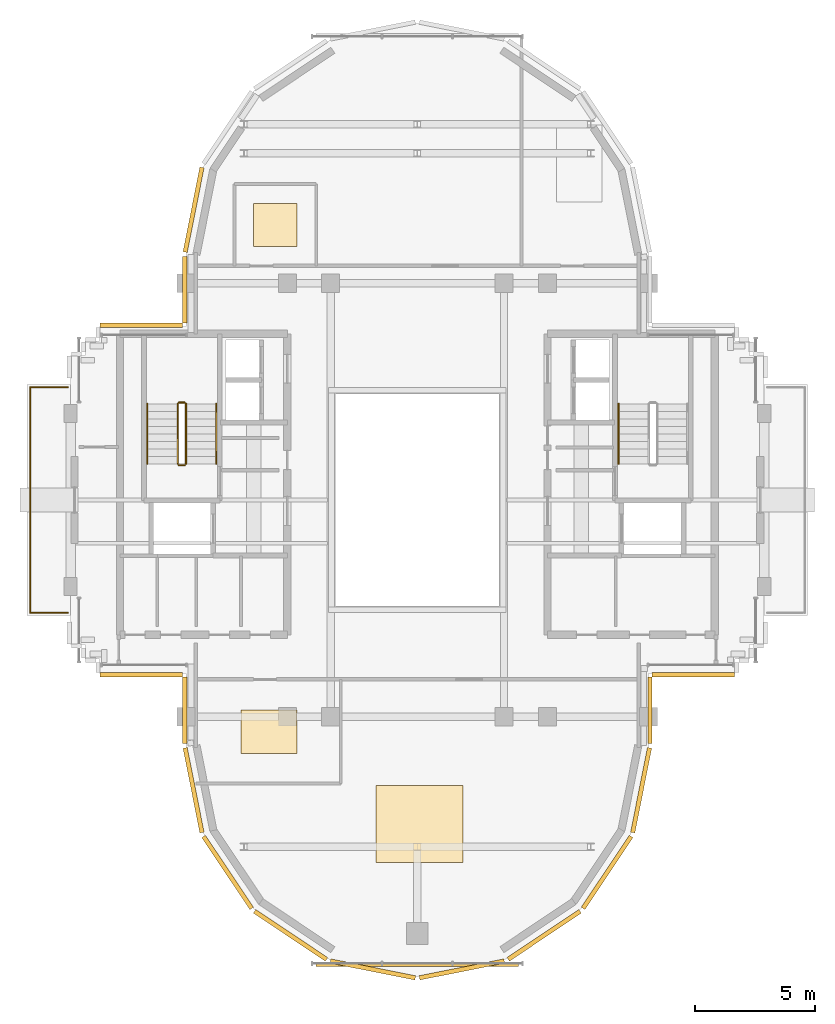
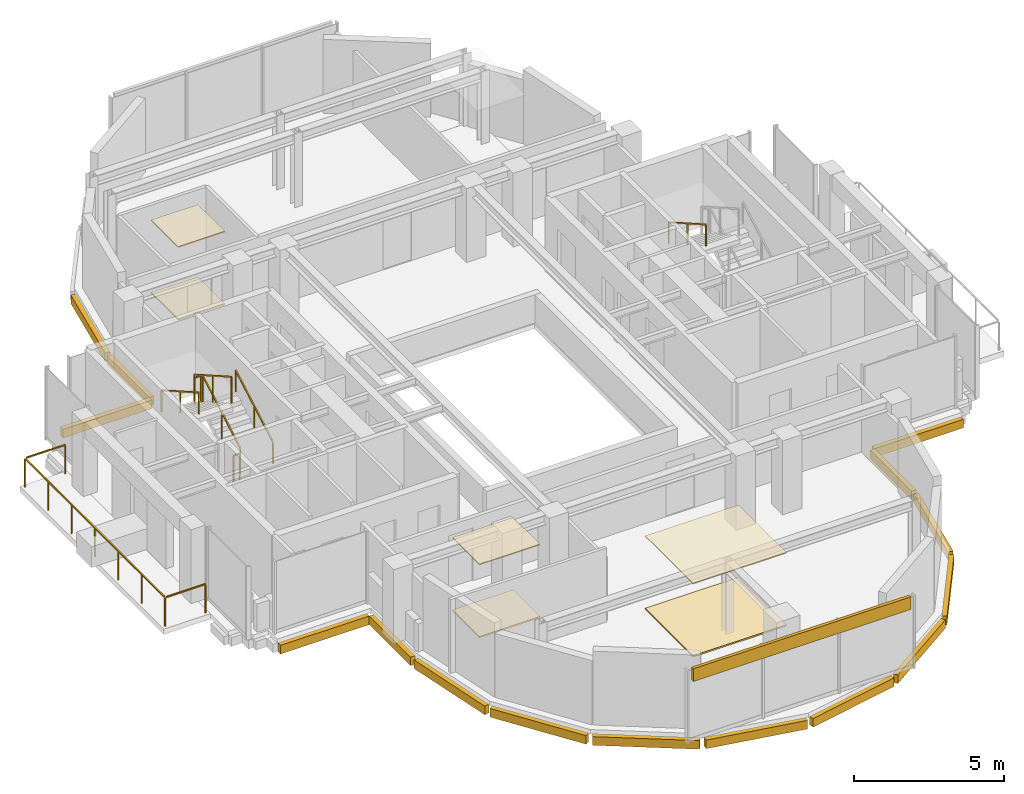
# One storey, part 10 of 12: 22 coverings, 8 railings.
"""IFC4 building model written with IfcOpenShell, lengths in metres."""

from ifc_helpers import new_model, si_unit, direction, frame, origin, origin_2d, place, context, subcontext, project, spatial, rectangle, extrude, source, transform, mapped, material, layer, layer_set, type_object, element, save


model = new_model("IFC4")

# Units and contexts
model_context = context("Model", 3, precision=1e-05, world=origin(), true_north=direction((0.0, 1.0)))
body_context = subcontext(model_context, "Body", "Model", "MODEL_VIEW")
ifc_project = project(units=[si_unit("LENGTHUNIT", "METRE"), si_unit("AREAUNIT", "SQUARE_METRE"), si_unit("VOLUMEUNIT", "CUBIC_METRE"), si_unit("PLANEANGLEUNIT", "RADIAN"), si_unit("MASSUNIT", "GRAM", prefix="KILO")], contexts=[model_context])

# Site, building, storey
site_placement = place(None, origin())
site = spatial("IfcSite", under=ifc_project, at=site_placement, CompositionType="ELEMENT")
building_placement = place(site_placement, origin())
building = spatial("IfcBuilding", under=site, at=building_placement, Name="Keilestroom Media Tower", CompositionType="ELEMENT")
storey_placement = place(building_placement, frame((0.0, 0.0, 258.800048828125)))
storey = spatial("IfcBuildingStorey", under=building, at=storey_placement, Name="L72", CompositionType="ELEMENT", Elevation=258.800048828125)

# Railings
ifc_material_1 = material(Name="Brushed Stainless Steel 1.4301", Category="steel")
railing_type_1 = type_object("IfcRailingType", Name="Stair-Pitch-Handrail-920", PredefinedType="HANDRAIL", material=ifc_material_1)
railing_1_placement = place(storey_placement, frame((-8.35009765625, 1.5, 0.177734375)))
element("IfcRailing", 1, at=railing_1_placement, inside=storey, type_object=railing_type_1, Name="L72 ST-1 stair handrail 1", PredefinedType="HANDRAIL", context=body_context, shape_type="SweptSolid", body=[
    extrude(rectangle(XDim=0.048095703125, YDim=0.048095703125, at=origin_2d()), frame((0.0, 0.0, 0.8759765625), z_axis=(0.0, 0.868875238982, 0.495031129408), x_axis=(-1.0, 0.0, 0.0)), (0.0, 0.0, 1.0), 2.872802734375),
    extrude(rectangle(XDim=0.0419921875, YDim=0.0419921875, at=origin_2d()), origin(), (0.0, 0.0, 1.0), 0.84375),
    extrude(rectangle(XDim=0.0419921875, YDim=0.0419921875, at=origin_2d()), frame((0.0, 1.248046875, 0.7109375)), (0.0, 0.0, 1.0), 0.84375),
    extrude(rectangle(XDim=0.0419921875, YDim=0.0419921875, at=origin_2d()), frame((0.0, 2.49609375, 1.422119140625)), (0.0, 0.0, 1.0), 0.84375),
])
for number, where, name in (
    (2, (-11.2099609375, 3.99609375, 1.77783203125), "L72 ST-1 stair handrail 2"),
    (3, (8.35009765625, 3.99609375, 1.77783203125), "L72 ST-2 stair handrail 2"),
):
    element("IfcRailing", number, at=place(storey_placement, frame(where)), inside=storey, type_object=railing_type_1, Name=name, PredefinedType="HANDRAIL", context=body_context, shape_type="SweptSolid", body=[
        extrude(rectangle(XDim=0.048095703125, YDim=0.048095703125, at=origin_2d()), frame((0.0, 0.0, 0.8759765625), z_axis=(0.0, -0.868875238982, 0.495031129408), x_axis=(1.0, 0.0, 0.0)), (0.0, 0.0, 1.0), 2.872802734375),
        extrude(rectangle(XDim=0.0419921875, YDim=0.0419921875, at=origin_2d()), origin(), (0.0, 0.0, 1.0), 0.84375),
        extrude(rectangle(XDim=0.0419921875, YDim=0.0419921875, at=origin_2d()), frame((0.0, -1.248046875, 0.7109375)), (0.0, 0.0, 1.0), 0.84375),
        extrude(rectangle(XDim=0.0419921875, YDim=0.0419921875, at=origin_2d()), frame((0.0, -2.49609375, 1.422119140625)), (0.0, 0.0, 1.0), 0.84375),
    ])
ifc_material_2 = material(Name="Painted Steel Balustrade", Category="steel")
railing_type_2 = type_object("IfcRailingType", Name="Stair-Well-And-Landing-Guard-1100", PredefinedType="GUARDRAIL", material=ifc_material_2)
railing_2_placement = place(storey_placement, frame((-9.610107421875, 1.5, 0.177734375)))
element("IfcRailing", 4, at=railing_2_placement, inside=storey, type_object=railing_type_2, Name="L72 ST-1 stair guard 1", PredefinedType="GUARDRAIL", context=body_context, shape_type="SweptSolid", body=[
    extrude(rectangle(XDim=0.048095703125, YDim=0.048095703125, at=origin_2d()), frame((0.0, 0.0, 1.076171875), z_axis=(0.0, 0.868875238982, 0.495031129408), x_axis=(-1.0, 0.0, 0.0)), (0.0, 0.0, 1.0), 2.872802734375),
    extrude(rectangle(XDim=0.0419921875, YDim=0.0419921875, at=origin_2d()), origin(), (0.0, 0.0, 1.0), 1.0439453125),
    extrude(rectangle(XDim=0.0419921875, YDim=0.0419921875, at=origin_2d()), frame((0.0, 1.248046875, 0.7109375)), (0.0, 0.0, 1.0), 1.0439453125),
    extrude(rectangle(XDim=0.0419921875, YDim=0.0419921875, at=origin_2d()), frame((0.0, 2.49609375, 1.422119140625)), (0.0, 0.0, 1.0), 1.0439453125),
])
railing_3_placement = place(storey_placement, frame((-9.659912109375, 4.0458984375, 1.599853515625)))
element("IfcRailing", 5, at=railing_3_placement, inside=storey, type_object=railing_type_2, Name="L72 ST-1 stair guard 2", PredefinedType="GUARDRAIL", context=body_context, shape_type="SweptSolid", body=[
    extrude(rectangle(XDim=0.048095703125, YDim=0.048095703125, at=origin_2d()), frame((0.0, 0.0, 1.076171875), z_axis=(-1.0, 0.0, 0.0), x_axis=(0.0, -1.0, 0.0)), (0.0, 0.0, 1.0), 0.239990234375),
    extrude(rectangle(XDim=0.0419921875, YDim=0.0419921875, at=origin_2d()), origin(), (0.0, 0.0, 1.0), 1.0439453125),
    extrude(rectangle(XDim=0.0419921875, YDim=0.0419921875, at=origin_2d()), frame((-0.239990234375, 0.0, 0.0)), (0.0, 0.0, 1.0), 1.0439453125),
])
railing_4_placement = place(storey_placement, frame((-9.949951171875, 3.99609375, 1.77783203125)))
element("IfcRailing", 6, at=railing_4_placement, inside=storey, type_object=railing_type_2, Name="L72 ST-1 stair guard 3", PredefinedType="GUARDRAIL", context=body_context, shape_type="SweptSolid", body=[
    extrude(rectangle(XDim=0.048095703125, YDim=0.048095703125, at=origin_2d()), frame((0.0, 0.0, 1.076171875), z_axis=(0.0, -0.868875238982, 0.495031129408), x_axis=(1.0, 0.0, 0.0)), (0.0, 0.0, 1.0), 2.872802734375),
    extrude(rectangle(XDim=0.0419921875, YDim=0.0419921875, at=origin_2d()), origin(), (0.0, 0.0, 1.0), 1.0439453125),
    extrude(rectangle(XDim=0.0419921875, YDim=0.0419921875, at=origin_2d()), frame((0.0, -1.248046875, 0.7109375)), (0.0, 0.0, 1.0), 1.0439453125),
    extrude(rectangle(XDim=0.0419921875, YDim=0.0419921875, at=origin_2d()), frame((0.0, -2.49609375, 1.422119140625)), (0.0, 0.0, 1.0), 1.0439453125),
])
railing_5_placement = place(storey_placement, frame((-9.659912109375, 1.449951171875, 0.0)))
element("IfcRailing", 7, at=railing_5_placement, inside=storey, type_object=railing_type_2, Name="L72 ST-1 stair guard 4", PredefinedType="GUARDRAIL", context=body_context, shape_type="SweptSolid", body=[
    extrude(rectangle(XDim=0.048095703125, YDim=0.048095703125, at=origin_2d()), frame((0.0, 0.0, 1.076171875), z_axis=(-1.0, 0.0, 0.0), x_axis=(0.0, -1.0, 0.0)), (0.0, 0.0, 1.0), 0.239990234375),
    extrude(rectangle(XDim=0.0419921875, YDim=0.0419921875, at=origin_2d()), origin(), (0.0, 0.0, 1.0), 1.0439453125),
    extrude(rectangle(XDim=0.0419921875, YDim=0.0419921875, at=origin_2d()), frame((-0.239990234375, 0.0, 0.0)), (0.0, 0.0, 1.0), 1.0439453125),
])
ifc_material_3 = material(Name="Laminated Safety Glass & Bronze Aluminium", Category="aluminium")
railing_type_3 = type_object("IfcRailingType", Name="Terrace-And-Atrium-Guard-Balustrade-GD-SKY", PredefinedType="BALUSTRADE", material=ifc_material_3)
railing_6_placement = place(storey_placement, frame((-14.52001953125, -4.679931640625, 0.0)))
element("IfcRailing", 8, at=railing_6_placement, inside=storey, type_object=railing_type_3, Name="L72 Terrace Perimeter Guard CUP72-W", PredefinedType="BALUSTRADE", context=body_context, shape_type="SweptSolid", body=[
    extrude(rectangle(XDim=0.048095703125, YDim=0.048095703125, at=origin_2d()), frame((0.0, 0.0, 1.17578125), z_axis=(-1.0, 0.0, 0.0), x_axis=(0.0, -1.0, 0.0)), (0.0, 0.0, 1.0), 1.511962890625),
    extrude(rectangle(XDim=0.048095703125, YDim=0.048095703125, at=origin_2d()), frame((-1.56005859375, 0.048095703125, 1.17578125), z_axis=(0.0, 1.0, 0.0), x_axis=(-1.0, 0.0, 0.0)), (0.0, 0.0, 1.0), 9.263671875),
    extrude(rectangle(XDim=0.048095703125, YDim=0.048095703125, at=origin_2d()), frame((-1.511962890625, 9.35986328125, 1.17578125), z_axis=(1.0, 0.0, 0.0), x_axis=(0.0, 1.0, 0.0)), (0.0, 0.0, 1.0), 1.511962890625),
    extrude(rectangle(XDim=0.0419921875, YDim=0.0419921875, at=origin_2d()), origin(), (0.0, 0.0, 1.0), 1.143798828125),
    extrude(rectangle(XDim=0.0419921875, YDim=0.0419921875, at=origin_2d()), frame((-1.56005859375, 0.0, 0.0)), (0.0, 0.0, 1.0), 1.143798828125),
    extrude(rectangle(XDim=0.0419921875, YDim=0.0419921875, at=origin_2d()), frame((-1.56005859375, 1.56005859375, 0.0)), (0.0, 0.0, 1.0), 1.143798828125),
    extrude(rectangle(XDim=0.0419921875, YDim=0.0419921875, at=origin_2d()), frame((-1.56005859375, 3.119873046875, 0.0)), (0.0, 0.0, 1.0), 1.143798828125),
    extrude(rectangle(XDim=0.0419921875, YDim=0.0419921875, at=origin_2d()), frame((-1.56005859375, 4.679931640625, 0.0)), (0.0, 0.0, 1.0), 1.143798828125),
    extrude(rectangle(XDim=0.0419921875, YDim=0.0419921875, at=origin_2d()), frame((-1.56005859375, 6.239990234375, 0.0)), (0.0, 0.0, 1.0), 1.143798828125),
    extrude(rectangle(XDim=0.0419921875, YDim=0.0419921875, at=origin_2d()), frame((-1.56005859375, 7.7998046875, 0.0)), (0.0, 0.0, 1.0), 1.143798828125),
    extrude(rectangle(XDim=0.0419921875, YDim=0.0419921875, at=origin_2d()), frame((-1.56005859375, 9.35986328125, 0.0)), (0.0, 0.0, 1.0), 1.143798828125),
    extrude(rectangle(XDim=0.0419921875, YDim=0.0419921875, at=origin_2d()), frame((0.0, 9.35986328125, 0.0)), (0.0, 0.0, 1.0), 1.143798828125),
])

# Coverings
ifc_material_4 = material(Name="Precast concrete C40/50", Category="concrete")
ifc_layer_1 = layer(ifc_material_4, 0.1201171875)
ifc_layer_set_1 = layer_set([ifc_layer_1], Name="Precast concrete C40/50")
covering_type_1 = type_object("IfcCoveringType", Name="Exterior-Precast-Spandrel-Cladding-Panel-120", PredefinedType="CLADDING", material=ifc_layer_set_1)
shared_shape_1 = source(origin(), body_context, "Body", "SweptSolid", [
    extrude(rectangle(XDim=8.39990234375, YDim=0.1201171875, at=origin_2d()), origin(), (0.0, 0.0, 1.0), 0.52001953125),
])
covering_1_placement = place(storey_placement, frame((0.0, -19.320068359375, 2.5), z_axis=(0.0, 0.0, 1.0), x_axis=(1.0, 0.0, 0.0)))
element("IfcCovering", 9, at=covering_1_placement, inside=storey, type_object=covering_type_1, Name="L72 Precast Spandrel Cladding S", PredefinedType="CLADDING", context=body_context, shape_type="MappedRepresentation", body=[
    mapped(shared_shape_1, transform((0.0, 0.0, 0.0), x_axis=(1.0, 0.0, 0.0), y_axis=(0.0, 1.0, 0.0), z_axis=(0.0, 0.0, 1.0), scale=1.0)),
])
shared_shape_2 = source(origin(), body_context, "Body", "SweptSolid", [
    extrude(rectangle(XDim=2.765869140625, YDim=0.179931640625, at=origin_2d()), origin(), (0.0, 0.0, 1.0), 0.35009765625),
])
for number, where, z_axis, x_axis, name in (
    (10, (9.659912109375, -8.73291015625, -0.530029296875), (0.0, 0.0, 1.0), (0.0, -1.0, 0.0), "L72 Precast Slab-Edge Fascia Cornice 06"),
    (11, (-9.659912109375, -8.73291015625, -0.530029296875), (0.0, 0.0, 1.0), (0.0, 1.0, 0.0), "L72 Precast Slab-Edge Fascia Cornice 15"),
    (12, (-9.659912109375, 8.73291015625, -0.530029296875), (0.0, 0.0, 1.0), (0.0, 1.0, 0.0), "L72 Precast Slab-Edge Fascia Cornice 28"),
):
    element("IfcCovering", number, at=place(storey_placement, frame(where, z_axis=z_axis, x_axis=x_axis)), inside=storey, type_object=covering_type_1, Name=name, PredefinedType="CLADDING", context=body_context, shape_type="MappedRepresentation", body=[
        mapped(shared_shape_2, transform((0.0, 0.0, 0.0), x_axis=(1.0, 0.0, 0.0), y_axis=(0.0, 1.0, 0.0), z_axis=(0.0, 0.0, 1.0), scale=1.0)),
    ])
shared_shape_3 = source(origin(), body_context, "Body", "SweptSolid", [
    extrude(rectangle(XDim=3.58349609375, YDim=0.179931640625, at=origin_2d()), origin(), (0.0, 0.0, 1.0), 0.35009765625),
])
for number, where, z_axis, x_axis, name in (
    (13, (9.29296875, -12.051513671875, -0.530029296875), (0.0, 0.0, 1.0), (-0.195098880975, -0.980783577882, 0.0), "L72 Precast Slab-Edge Fascia Cornice 07"),
    (14, (-9.29296875, -12.051513671875, -0.530029296875), (0.0, 0.0, 1.0), (-0.195098880975, 0.980783577882, 0.0), "L72 Precast Slab-Edge Fascia Cornice 14"),
    (15, (-9.29296875, 12.051513671875, -0.530029296875), (0.0, 0.0, 1.0), (0.195098880975, 0.980783577882, 0.0), "L72 Precast Slab-Edge Fascia Cornice 29"),
):
    element("IfcCovering", number, at=place(storey_placement, frame(where, z_axis=z_axis, x_axis=x_axis)), inside=storey, type_object=covering_type_1, Name=name, PredefinedType="CLADDING", context=body_context, shape_type="MappedRepresentation", body=[
        mapped(shared_shape_3, transform((0.0, 0.0, 0.0), x_axis=(1.0, 0.0, 0.0), y_axis=(0.0, 1.0, 0.0), z_axis=(0.0, 0.0, 1.0), scale=1.0)),
    ])
shared_shape_4 = source(origin(), body_context, "Body", "SweptSolid", [
    extrude(rectangle(XDim=3.589599609375, YDim=0.179931640625, at=origin_2d()), origin(), (0.0, 0.0, 1.0), 0.35009765625),
])
for number, where, z_axis, x_axis, name in (
    (16, (7.878662109375, -15.46435546875, -0.530029296875), (0.0, 0.0, 1.0), (-0.555574586577, -0.831466703332, 0.0), "L72 Precast Slab-Edge Fascia Cornice 08"),
    (17, (5.264404296875, -18.07861328125, -0.530029296875), (0.0, 0.0, 1.0), (-0.831466703332, -0.555574586577, 0.0), "L72 Precast Slab-Edge Fascia Cornice 09"),
    (18, (1.8486328125, -19.493408203125, -0.530029296875), (0.0, 0.0, 1.0), (-0.980783577882, -0.195098880975, 0.0), "L72 Precast Slab-Edge Fascia Cornice 10"),
    (19, (-1.8486328125, -19.493408203125, -0.530029296875), (0.0, 0.0, 1.0), (-0.980783577882, 0.195098880975, 0.0), "L72 Precast Slab-Edge Fascia Cornice 11"),
    (20, (-5.264404296875, -18.07861328125, -0.530029296875), (0.0, 0.0, 1.0), (-0.831466703332, 0.555574586577, 0.0), "L72 Precast Slab-Edge Fascia Cornice 12"),
    (21, (-7.878662109375, -15.46435546875, -0.530029296875), (0.0, 0.0, 1.0), (-0.555574586577, 0.831466703332, 0.0), "L72 Precast Slab-Edge Fascia Cornice 13"),
):
    element("IfcCovering", number, at=place(storey_placement, frame(where, z_axis=z_axis, x_axis=x_axis)), inside=storey, type_object=covering_type_1, Name=name, PredefinedType="CLADDING", context=body_context, shape_type="MappedRepresentation", body=[
        mapped(shared_shape_4, transform((0.0, 0.0, 0.0), x_axis=(1.0, 0.0, 0.0), y_axis=(0.0, 1.0, 0.0), z_axis=(0.0, 0.0, 1.0), scale=1.0)),
    ])
shared_shape_5 = source(origin(), body_context, "Body", "SweptSolid", [
    extrude(rectangle(XDim=3.419921875, YDim=0.179931640625, at=origin_2d()), origin(), (0.0, 0.0, 1.0), 0.35009765625),
])
for number, where, z_axis, x_axis, name in (
    (22, (11.4599609375, -7.260009765625, -0.530029296875), (0.0, 0.0, 1.0), (-1.0, 0.0, 0.0), "L72 Precast Slab-Edge Fascia Cornice 05"),
    (23, (-11.4599609375, -7.260009765625, -0.530029296875), (0.0, 0.0, 1.0), (-1.0, 0.0, 0.0), "L72 Precast Slab-Edge Fascia Cornice 16"),
    (24, (-11.4599609375, 7.260009765625, -0.530029296875), (0.0, 0.0, 1.0), (1.0, 0.0, 0.0), "L72 Precast Slab-Edge Fascia Cornice 27"),
):
    element("IfcCovering", number, at=place(storey_placement, frame(where, z_axis=z_axis, x_axis=x_axis)), inside=storey, type_object=covering_type_1, Name=name, PredefinedType="CLADDING", context=body_context, shape_type="MappedRepresentation", body=[
        mapped(shared_shape_5, transform((0.0, 0.0, 0.0), x_axis=(1.0, 0.0, 0.0), y_axis=(0.0, 1.0, 0.0), z_axis=(0.0, 0.0, 1.0), scale=1.0)),
    ])
ifc_material_5 = material(Name="Mineral-Fibre Acoustic Ceiling Tile", Category="gypsum")
ifc_layer_2 = layer(ifc_material_5, 0.0400390625)
ifc_layer_set_2 = layer_set([ifc_layer_2], Name="Mineral-Fibre Acoustic Ceiling Tile")
covering_type_2 = type_object("IfcCoveringType", Name="Suspended-Acoustic-Ceiling-40", PredefinedType="CEILING", material=ifc_layer_set_2)
shared_shape_6 = source(origin(), body_context, "Body", "SweptSolid", [
    extrude(rectangle(XDim=1.800048828125, YDim=1.800048828125, at=origin_2d()), origin(), (0.0, 0.0, 1.0), 0.0400390625),
])
covering_2_placement = place(storey_placement, frame((-5.89990234375, 11.419921875, 2.969970703125), z_axis=(0.0, 0.0, 1.0), x_axis=(1.0, 0.0, 0.0)))
element("IfcCovering", 25, at=covering_2_placement, inside=storey, type_object=covering_type_2, Name="L72 Suspended Acoustic Ceiling 1", PredefinedType="CEILING", context=body_context, shape_type="MappedRepresentation", body=[
    mapped(shared_shape_6, transform((0.0, 0.0, 0.0), x_axis=(1.0, 0.0, 0.0), y_axis=(0.0, 1.0, 0.0), z_axis=(0.0, 0.0, 1.0), scale=1.0)),
])
ifc_material_6 = material(Name="Calcium-Sulphate Raised Access Floor", Category="concrete")
ifc_layer_3 = layer(ifc_material_6, 0.06005859375)
ifc_layer_set_3 = layer_set([ifc_layer_3], Name="Calcium-Sulphate Raised Access Floor")
covering_type_3 = type_object("IfcCoveringType", Name="Raised-Access-And-Acoustic-Flooring-60", PredefinedType="FLOORING", material=ifc_layer_set_3)
shared_shape_7 = source(origin(), body_context, "Body", "SweptSolid", [
    extrude(rectangle(XDim=1.800048828125, YDim=1.800048828125, at=origin_2d()), origin(), (0.0, 0.0, 1.0), 0.06005859375),
])
covering_3_placement = place(storey_placement, frame((-5.89990234375, 11.419921875, 0.0), z_axis=(0.0, 0.0, 1.0), x_axis=(1.0, 0.0, 0.0)))
element("IfcCovering", 26, at=covering_3_placement, inside=storey, type_object=covering_type_3, Name="L72 Raised Access Flooring 1", PredefinedType="FLOORING", context=body_context, shape_type="MappedRepresentation", body=[
    mapped(shared_shape_7, transform((0.0, 0.0, 0.0), x_axis=(1.0, 0.0, 0.0), y_axis=(0.0, 1.0, 0.0), z_axis=(0.0, 0.0, 1.0), scale=1.0)),
])
shared_shape_8 = source(origin(), body_context, "Body", "SweptSolid", [
    extrude(rectangle(XDim=2.343994140625, YDim=1.800048828125, at=origin_2d()), origin(), (0.0, 0.0, 1.0), 0.0400390625),
])
covering_4_placement = place(storey_placement, frame((-6.159912109375, -9.6201171875, 2.969970703125), z_axis=(0.0, 0.0, 1.0), x_axis=(1.0, 0.0, 0.0)))
element("IfcCovering", 27, at=covering_4_placement, inside=storey, type_object=covering_type_2, Name="L72 Suspended Acoustic Ceiling 4", PredefinedType="CEILING", context=body_context, shape_type="MappedRepresentation", body=[
    mapped(shared_shape_8, transform((0.0, 0.0, 0.0), x_axis=(1.0, 0.0, 0.0), y_axis=(0.0, 1.0, 0.0), z_axis=(0.0, 0.0, 1.0), scale=1.0)),
])
shared_shape_9 = source(origin(), body_context, "Body", "SweptSolid", [
    extrude(rectangle(XDim=2.343994140625, YDim=1.800048828125, at=origin_2d()), origin(), (0.0, 0.0, 1.0), 0.06005859375),
])
covering_5_placement = place(storey_placement, frame((-6.159912109375, -9.6201171875, 0.0), z_axis=(0.0, 0.0, 1.0), x_axis=(1.0, 0.0, 0.0)))
element("IfcCovering", 28, at=covering_5_placement, inside=storey, type_object=covering_type_3, Name="L72 Raised Access Flooring 4", PredefinedType="FLOORING", context=body_context, shape_type="MappedRepresentation", body=[
    mapped(shared_shape_9, transform((0.0, 0.0, 0.0), x_axis=(1.0, 0.0, 0.0), y_axis=(0.0, 1.0, 0.0), z_axis=(0.0, 0.0, 1.0), scale=1.0)),
])
shared_shape_10 = source(origin(), body_context, "Body", "SweptSolid", [
    extrude(rectangle(XDim=3.60009765625, YDim=3.199951171875, at=origin_2d()), origin(), (0.0, 0.0, 1.0), 0.0400390625),
])
covering_6_placement = place(storey_placement, frame((0.092041015625, -13.455078125, 2.969970703125), z_axis=(0.0, 0.0, 1.0), x_axis=(1.0, 0.0, 0.0)))
element("IfcCovering", 29, at=covering_6_placement, inside=storey, type_object=covering_type_2, Name="L72 Suspended Acoustic Ceiling 5", PredefinedType="CEILING", context=body_context, shape_type="MappedRepresentation", body=[
    mapped(shared_shape_10, transform((0.0, 0.0, 0.0), x_axis=(1.0, 0.0, 0.0), y_axis=(0.0, 1.0, 0.0), z_axis=(0.0, 0.0, 1.0), scale=1.0)),
])
shared_shape_11 = source(origin(), body_context, "Body", "SweptSolid", [
    extrude(rectangle(XDim=3.60009765625, YDim=3.199951171875, at=origin_2d()), origin(), (0.0, 0.0, 1.0), 0.06005859375),
])
covering_7_placement = place(storey_placement, frame((0.092041015625, -13.455078125, 0.0), z_axis=(0.0, 0.0, 1.0), x_axis=(1.0, 0.0, 0.0)))
element("IfcCovering", 30, at=covering_7_placement, inside=storey, type_object=covering_type_3, Name="L72 Raised Access Flooring 5", PredefinedType="FLOORING", context=body_context, shape_type="MappedRepresentation", body=[
    mapped(shared_shape_11, transform((0.0, 0.0, 0.0), x_axis=(1.0, 0.0, 0.0), y_axis=(0.0, 1.0, 0.0), z_axis=(0.0, 0.0, 1.0), scale=1.0)),
])

save(model, "model.ifc")
